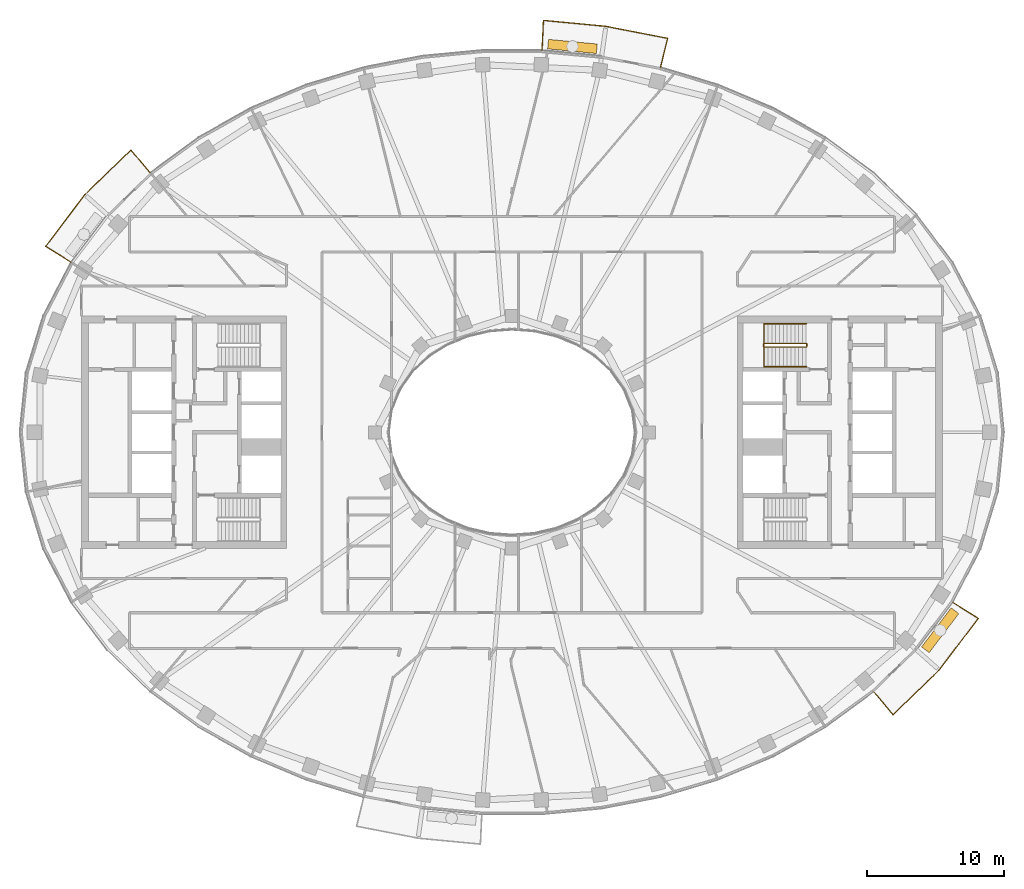
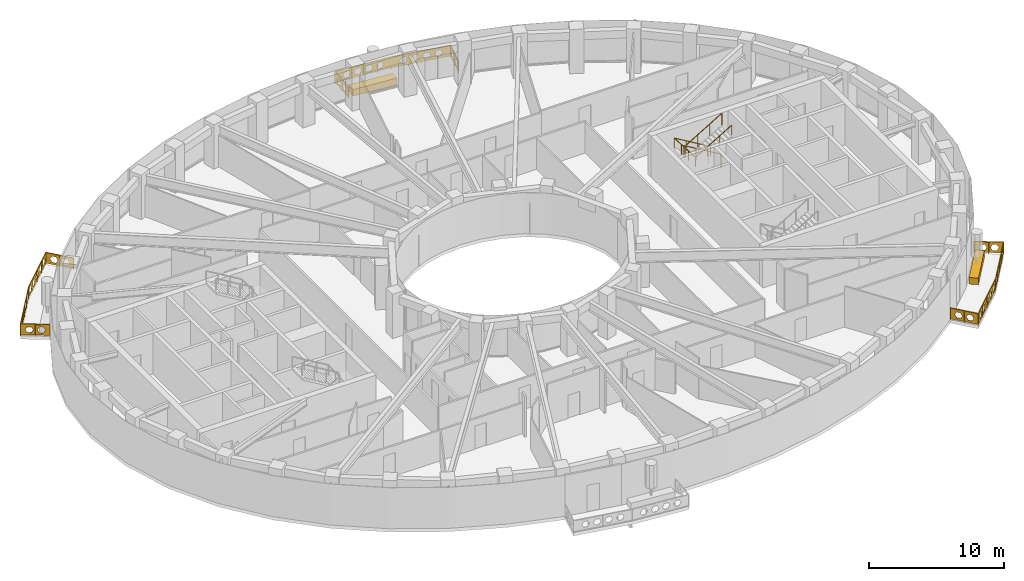
# One storey, part 15 of 16: 5 railings, 2 coverings.
"""IFC4 building model written with IfcOpenShell, lengths in metres."""

from ifc_helpers import new_model, si_unit, direction, frame, origin, origin_2d, place, context, subcontext, project, spatial, polyline, rectangle, outline, extrude, material, type_object, element, save


model = new_model("IFC4")

# Units and contexts
model_context = context("Model", 3, precision=1e-05, world=origin(), true_north=direction((0.0, 1.0)))
body_context = subcontext(model_context, "Body", "Model", "MODEL_VIEW")
ifc_project = project(units=[si_unit("LENGTHUNIT", "METRE"), si_unit("AREAUNIT", "SQUARE_METRE"), si_unit("VOLUMEUNIT", "CUBIC_METRE"), si_unit("PLANEANGLEUNIT", "RADIAN"), si_unit("MASSUNIT", "GRAM", prefix="KILO")], contexts=[model_context])

# Site, building, storey
site_placement = place(None, origin())
site = spatial("IfcSite", under=ifc_project, at=site_placement, CompositionType="ELEMENT")
building_placement = place(site_placement, origin())
building = spatial("IfcBuilding", under=site, at=building_placement, Name="Noorbagh Ring Tower", CompositionType="ELEMENT")
storey_placement = place(building_placement, frame((0.0, 0.0, 273.5)))
storey = spatial("IfcBuildingStorey", under=building, at=storey_placement, Name="L58", CompositionType="ELEMENT", Elevation=273.5)

# Railings
ifc_material_1 = material(Name="Stainless steel", Category="steel")
railing_type_1 = type_object("IfcRailingType", Name="CORE-STAIR-GUARD", PredefinedType="GUARDRAIL", material=ifc_material_1)
railing_1_placement = place(storey_placement, frame((21.580078125, 6.449951171875, 0.0)))
element("IfcRailing", 1, at=railing_1_placement, inside=storey, type_object=railing_type_1, Name="L58 ST3 stair guard", PredefinedType="GUARDRAIL", context=body_context, shape_type="SweptSolid", body=[
    extrude(rectangle(XDim=0.048095703125, YDim=0.048095703125, at=origin_2d()), frame((0.0, 0.0, 1.076171875), z_axis=(0.0, -1.0, 0.0), x_axis=(1.0, 0.0, 0.0)), (0.0, 0.0, 1.0), 0.14990234375),
    extrude(rectangle(XDim=0.048095703125, YDim=0.048095703125, at=origin_2d()), frame((0.0, -0.14990234375, 1.076171875), z_axis=(-0.188775798145, 0.754182335027, 0.628945707965), x_axis=(-0.970072785993, -0.242814311512, 0.0)), (0.0, 0.0, 1.0), 0.26513671875),
    extrude(rectangle(XDim=0.048095703125, YDim=0.048095703125, at=origin_2d()), frame((-0.050048828125, 0.050048828125, 1.24267578125), z_axis=(-0.859308565015, 0.0, 0.511457515432), x_axis=(0.0, -1.0, 0.0)), (0.0, 0.0, 1.0), 3.58447265625),
    extrude(rectangle(XDim=0.048095703125, YDim=0.048095703125, at=origin_2d()), frame((-3.130126953125, 0.050048828125, 3.076171875), z_axis=(-0.707106781187, -0.707106781187, 0.0), x_axis=(0.707106781187, -0.707106781187, 0.0)), (0.0, 0.0, 1.0), 0.07080078125),
    extrude(rectangle(XDim=0.048095703125, YDim=0.048095703125, at=origin_2d()), frame((-3.18017578125, 0.0, 3.076171875), z_axis=(0.0, -1.0, 0.0), x_axis=(1.0, 0.0, 0.0)), (0.0, 0.0, 1.0), 0.14990234375),
    extrude(rectangle(XDim=0.048095703125, YDim=0.048095703125, at=origin_2d()), frame((-3.18017578125, -0.14990234375, 3.076171875), z_axis=(0.27628659633, -0.27628659633, 0.920506074601), x_axis=(0.707106781187, 0.707106781187, 0.0)), (0.0, 0.0, 1.0), 0.18115234375),
    extrude(rectangle(XDim=0.048095703125, YDim=0.048095703125, at=origin_2d()), frame((-3.130126953125, -0.199951171875, 3.24267578125), z_axis=(0.859308565015, 0.0, 0.511457515432), x_axis=(0.0, 1.0, 0.0)), (0.0, 0.0, 1.0), 3.58447265625),
    extrude(rectangle(XDim=0.0419921875, YDim=0.0419921875, at=origin_2d()), origin(), (0.0, 0.0, 1.0), 1.052001953125),
    extrude(rectangle(XDim=0.0419921875, YDim=0.0419921875, at=origin_2d()), frame((-1.07666015625, 0.050048828125, 0.77783203125)), (0.0, 0.0, 1.0), 1.052001953125),
    extrude(rectangle(XDim=0.0419921875, YDim=0.0419921875, at=origin_2d()), frame((-2.103515625, 0.050048828125, 1.388916015625)), (0.0, 0.0, 1.0), 1.052001953125),
    extrude(rectangle(XDim=0.0419921875, YDim=0.0419921875, at=origin_2d()), frame((-3.130126953125, 0.050048828125, 2.0)), (0.0, 0.0, 1.0), 1.052001953125),
    extrude(rectangle(XDim=0.0419921875, YDim=0.0419921875, at=origin_2d()), frame((-3.130126953125, -0.199951171875, 2.166748046875)), (0.0, 0.0, 1.0), 1.052001953125),
    extrude(rectangle(XDim=0.0419921875, YDim=0.0419921875, at=origin_2d()), frame((-2.103515625, -0.199951171875, 2.77783203125)), (0.0, 0.0, 1.0), 1.052001953125),
    extrude(rectangle(XDim=0.0419921875, YDim=0.0419921875, at=origin_2d()), frame((-1.07666015625, -0.199951171875, 3.388916015625)), (0.0, 0.0, 1.0), 1.052001953125),
    extrude(rectangle(XDim=0.0419921875, YDim=0.0419921875, at=origin_2d()), frame((-0.050048828125, -0.199951171875, 4.0)), (0.0, 0.0, 1.0), 1.052001953125),
])
ifc_material_2 = material(Name="Stainless steel", Category="steel")
railing_type_2 = type_object("IfcRailingType", Name="CORE-STAIR-HANDRAIL", PredefinedType="HANDRAIL", material=ifc_material_2)
railing_2_placement = place(storey_placement, frame((21.530029296875, 7.949951171875, 0.166748046875)))
element("IfcRailing", 2, at=railing_2_placement, inside=storey, type_object=railing_type_2, Name="L58 ST3 stair handrail", PredefinedType="HANDRAIL", context=body_context, shape_type="SweptSolid", body=[
    extrude(rectangle(XDim=0.048095703125, YDim=0.048095703125, at=origin_2d()), frame((0.0, 0.0, 0.8759765625), z_axis=(-0.859308565015, 0.0, 0.511457515432), x_axis=(0.0, -1.0, 0.0)), (0.0, 0.0, 1.0), 3.58447265625),
    extrude(rectangle(XDim=0.048095703125, YDim=0.048095703125, at=origin_2d()), frame((-3.080078125, 0.0, 2.708984375), z_axis=(0.0, -0.998601747152, 0.052863509014), x_axis=(1.0, 0.0, 0.0)), (0.0, 0.0, 1.0), 3.154296875),
    extrude(rectangle(XDim=0.048095703125, YDim=0.048095703125, at=origin_2d()), frame((-3.080078125, -3.14990234375, 2.8759765625), z_axis=(0.859308565015, 0.0, 0.511457515432), x_axis=(0.0, 1.0, 0.0)), (0.0, 0.0, 1.0), 3.58447265625),
    extrude(rectangle(XDim=0.0419921875, YDim=0.0419921875, at=origin_2d()), origin(), (0.0, 0.0, 1.0), 0.851806640625),
    extrude(rectangle(XDim=0.0419921875, YDim=0.0419921875, at=origin_2d()), frame((-1.026611328125, 0.0, 0.611083984375)), (0.0, 0.0, 1.0), 0.851806640625),
    extrude(rectangle(XDim=0.0419921875, YDim=0.0419921875, at=origin_2d()), frame((-2.053466796875, 0.0, 1.22216796875)), (0.0, 0.0, 1.0), 0.851806640625),
    extrude(rectangle(XDim=0.0419921875, YDim=0.0419921875, at=origin_2d()), frame((-3.080078125, 0.0, 1.833251953125)), (0.0, 0.0, 1.0), 0.851806640625),
    extrude(rectangle(XDim=0.0419921875, YDim=0.0419921875, at=origin_2d()), frame((-3.080078125, -1.050048828125, 1.888916015625)), (0.0, 0.0, 1.0), 0.851806640625),
    extrude(rectangle(XDim=0.0419921875, YDim=0.0419921875, at=origin_2d()), frame((-3.080078125, -2.099853515625, 1.9443359375)), (0.0, 0.0, 1.0), 0.851806640625),
    extrude(rectangle(XDim=0.0419921875, YDim=0.0419921875, at=origin_2d()), frame((-3.080078125, -3.14990234375, 2.0)), (0.0, 0.0, 1.0), 0.851806640625),
    extrude(rectangle(XDim=0.0419921875, YDim=0.0419921875, at=origin_2d()), frame((-2.053466796875, -3.14990234375, 2.611083984375)), (0.0, 0.0, 1.0), 0.851806640625),
    extrude(rectangle(XDim=0.0419921875, YDim=0.0419921875, at=origin_2d()), frame((-1.026611328125, -3.14990234375, 3.22216796875)), (0.0, 0.0, 1.0), 0.851806640625),
    extrude(rectangle(XDim=0.0419921875, YDim=0.0419921875, at=origin_2d()), frame((0.0, -3.14990234375, 3.833251953125)), (0.0, 0.0, 1.0), 0.851806640625),
])
ifc_material_3 = material(Name="Steel S275 black powder-coated", Category="steel")
railing_type_3 = type_object("IfcRailingType", Name="ENV-GUARD", PredefinedType="GUARDRAIL", material=ifc_material_3)
railing_3_placement = place(storey_placement, frame((10.865234375, 26.6943359375, 0.0)))
element("IfcRailing", 3, at=railing_3_placement, inside=storey, type_object=railing_type_3, Name="Balcony guard BN03", PredefinedType="GUARDRAIL", context=body_context, shape_type="SweptSolid", body=[
    extrude(rectangle(XDim=0.048095703125, YDim=0.048095703125, at=origin_2d()), frame((0.0, 0.0, 1.076171875), z_axis=(0.239848558412, 0.970810315679, 0.0), x_axis=(-0.970810315679, 0.239848558412, 0.0)), (0.0, 0.0, 1.0), 2.20263671875),
    extrude(rectangle(XDim=0.048095703125, YDim=0.048095703125, at=origin_2d()), frame((0.5283203125, 2.138427734375, 1.076171875), z_axis=(-0.981625049064, 0.1908199755, 0.0), x_axis=(-0.1908199755, -0.981625049064, 0.0)), (0.0, 0.0, 1.0), 4.603271484375),
    extrude(rectangle(XDim=0.048095703125, YDim=0.048095703125, at=origin_2d()), frame((-3.990478515625, 3.016845703125, 1.076171875), z_axis=(-0.995477555764, 0.094997031379, 0.0), x_axis=(-0.094997031379, -0.995477555764, 0.0)), (0.0, 0.0, 1.0), 4.59765625),
    extrude(rectangle(XDim=0.048095703125, YDim=0.048095703125, at=origin_2d()), frame((-8.5673828125, 3.45361328125, 1.076171875), z_axis=(-0.047554616162, -0.998868639252, 0.0), x_axis=(0.998868639252, -0.047554616162, 0.0)), (0.0, 0.0, 1.0), 2.202392578125),
    extrude(rectangle(XDim=0.0419921875, YDim=0.0419921875, at=origin_2d()), origin(), (0.0, 0.0, 1.0), 1.052001953125),
    extrude(rectangle(XDim=0.0419921875, YDim=0.0419921875, at=origin_2d()), frame((0.26416015625, 1.0693359375, 0.0)), (0.0, 0.0, 1.0), 1.052001953125),
    extrude(rectangle(XDim=0.0419921875, YDim=0.0419921875, at=origin_2d()), frame((0.5283203125, 2.138427734375, 0.0)), (0.0, 0.0, 1.0), 1.052001953125),
    extrude(rectangle(XDim=0.0419921875, YDim=0.0419921875, at=origin_2d()), frame((-0.601318359375, 2.35791015625, 0.0)), (0.0, 0.0, 1.0), 1.052001953125),
    extrude(rectangle(XDim=0.0419921875, YDim=0.0419921875, at=origin_2d()), frame((-1.73095703125, 2.57763671875, 0.0)), (0.0, 0.0, 1.0), 1.052001953125),
    extrude(rectangle(XDim=0.0419921875, YDim=0.0419921875, at=origin_2d()), frame((-2.86083984375, 2.79736328125, 0.0)), (0.0, 0.0, 1.0), 1.052001953125),
    extrude(rectangle(XDim=0.0419921875, YDim=0.0419921875, at=origin_2d()), frame((-3.990478515625, 3.016845703125, 0.0)), (0.0, 0.0, 1.0), 1.052001953125),
    extrude(rectangle(XDim=0.0419921875, YDim=0.0419921875, at=origin_2d()), frame((-5.134765625, 3.1259765625, 0.0)), (0.0, 0.0, 1.0), 1.052001953125),
    extrude(rectangle(XDim=0.0419921875, YDim=0.0419921875, at=origin_2d()), frame((-6.27880859375, 3.2353515625, 0.0)), (0.0, 0.0, 1.0), 1.052001953125),
    extrude(rectangle(XDim=0.0419921875, YDim=0.0419921875, at=origin_2d()), frame((-7.423095703125, 3.344482421875, 0.0)), (0.0, 0.0, 1.0), 1.052001953125),
    extrude(rectangle(XDim=0.0419921875, YDim=0.0419921875, at=origin_2d()), frame((-8.5673828125, 3.45361328125, 0.0)), (0.0, 0.0, 1.0), 1.052001953125),
    extrude(rectangle(XDim=0.0419921875, YDim=0.0419921875, at=origin_2d()), frame((-8.61962890625, 2.353515625, 0.0)), (0.0, 0.0, 1.0), 1.052001953125),
    extrude(rectangle(XDim=0.0419921875, YDim=0.0419921875, at=origin_2d()), frame((-8.672119140625, 1.253662109375, 0.0)), (0.0, 0.0, 1.0), 1.052001953125),
    extrude(outline(polyline([(0.0, 0.10009765625), (2.20263671875, 0.10009765625), (2.20263671875, 1.031982421875), (0.0, 1.031982421875), (0.0, 0.10009765625)]), holes=[polyline([(0.96142578125, 0.56591796875), (0.806396484375, 0.83447265625), (0.496337890625, 0.83447265625), (0.34130859375, 0.56591796875), (0.496337890625, 0.297607421875), (0.806396484375, 0.297607421875), (0.96142578125, 0.56591796875)]), polyline([(1.861328125, 0.56591796875), (1.706298828125, 0.83447265625), (1.396240234375, 0.83447265625), (1.241455078125, 0.56591796875), (1.396240234375, 0.297607421875), (1.706298828125, 0.297607421875), (1.861328125, 0.56591796875)])]), frame((-0.009765625, 0.00244140625, 0.0), z_axis=(0.970810315679, -0.239848558412, 0.0), x_axis=(0.239848558412, 0.970810315679, 0.0)), (0.0, 0.0, 1.0), 0.02001953125),
    extrude(outline(polyline([(0.0, 0.10009765625), (4.603271484375, 0.10009765625), (4.603271484375, 1.031982421875), (0.0, 1.031982421875), (0.0, 0.10009765625)]), holes=[polyline([(1.26171875, 0.56591796875), (1.106689453125, 0.83447265625), (0.796630859375, 0.83447265625), (0.6416015625, 0.56591796875), (0.796630859375, 0.297607421875), (1.106689453125, 0.297607421875), (1.26171875, 0.56591796875)]), polyline([(2.16162109375, 0.56591796875), (2.006591796875, 0.83447265625), (1.69677734375, 0.83447265625), (1.541748046875, 0.56591796875), (1.69677734375, 0.297607421875), (2.006591796875, 0.297607421875), (2.16162109375, 0.56591796875)]), polyline([(3.061767578125, 0.56591796875), (2.90673828125, 0.83447265625), (2.5966796875, 0.83447265625), (2.441650390625, 0.56591796875), (2.5966796875, 0.297607421875), (2.90673828125, 0.297607421875), (3.061767578125, 0.56591796875)]), polyline([(3.961669921875, 0.56591796875), (3.806640625, 0.83447265625), (3.49658203125, 0.83447265625), (3.341796875, 0.56591796875), (3.49658203125, 0.297607421875), (3.806640625, 0.297607421875), (3.961669921875, 0.56591796875)])]), frame((0.5263671875, 2.128662109375, 0.0), z_axis=(0.1908199755, 0.981625049064, 0.0), x_axis=(-0.981625049064, 0.1908199755, 0.0)), (0.0, 0.0, 1.0), 0.02001953125),
    extrude(outline(polyline([(0.0, 0.10009765625), (4.59765625, 0.10009765625), (4.59765625, 1.031982421875), (0.0, 1.031982421875), (0.0, 0.10009765625)]), holes=[polyline([(1.2587890625, 0.56591796875), (1.103759765625, 0.83447265625), (0.7939453125, 0.83447265625), (0.638916015625, 0.56591796875), (0.7939453125, 0.297607421875), (1.103759765625, 0.297607421875), (1.2587890625, 0.56591796875)]), polyline([(2.158935546875, 0.56591796875), (2.00390625, 0.83447265625), (1.69384765625, 0.83447265625), (1.538818359375, 0.56591796875), (1.69384765625, 0.297607421875), (2.00390625, 0.297607421875), (2.158935546875, 0.56591796875)]), polyline([(3.058837890625, 0.56591796875), (2.90380859375, 0.83447265625), (2.59375, 0.83447265625), (2.43896484375, 0.56591796875), (2.59375, 0.297607421875), (2.90380859375, 0.297607421875), (3.058837890625, 0.56591796875)]), polyline([(3.958740234375, 0.56591796875), (3.803955078125, 0.83447265625), (3.493896484375, 0.83447265625), (3.3388671875, 0.56591796875), (3.493896484375, 0.297607421875), (3.803955078125, 0.297607421875), (3.958740234375, 0.56591796875)])]), frame((-3.991455078125, 3.0068359375, 0.0), z_axis=(0.094997031379, 0.995477555764, 0.0), x_axis=(-0.995477555764, 0.094997031379, 0.0)), (0.0, 0.0, 1.0), 0.02001953125),
    extrude(outline(polyline([(0.0, 0.10009765625), (2.202392578125, 0.10009765625), (2.202392578125, 1.031982421875), (0.0, 1.031982421875), (0.0, 0.10009765625)]), holes=[polyline([(0.961181640625, 0.56591796875), (0.80615234375, 0.83447265625), (0.496337890625, 0.83447265625), (0.34130859375, 0.56591796875), (0.496337890625, 0.297607421875), (0.80615234375, 0.297607421875), (0.961181640625, 0.56591796875)]), polyline([(1.861328125, 0.56591796875), (1.706298828125, 0.83447265625), (1.396240234375, 0.83447265625), (1.2412109375, 0.56591796875), (1.396240234375, 0.297607421875), (1.706298828125, 0.297607421875), (1.861328125, 0.56591796875)])]), frame((-8.557373046875, 3.453125, 0.0), z_axis=(-0.998868639252, 0.047554616162, 0.0), x_axis=(-0.047554616162, -0.998868639252, 0.0)), (0.0, 0.0, 1.0), 0.02001953125),
])
railing_4_placement = place(storey_placement, frame((-26.463134765625, 18.983154296875, 0.0)))
element("IfcRailing", 4, at=railing_4_placement, inside=storey, type_object=railing_type_3, Name="Balcony guard BN06", PredefinedType="GUARDRAIL", context=body_context, shape_type="SweptSolid", body=[
    extrude(rectangle(XDim=0.048095703125, YDim=0.048095703125, at=origin_2d()), frame((0.0, 0.0, 1.076171875), z_axis=(-0.646413574048, 0.762987215677, 0.0), x_axis=(-0.762987215677, -0.646413574048, 0.0)), (0.0, 0.0, 1.0), 2.205322265625),
    extrude(rectangle(XDim=0.048095703125, YDim=0.048095703125, at=origin_2d()), frame((-1.425537109375, 1.6826171875, 1.076171875), z_axis=(-0.717212632946, -0.696854388766, 0.0), x_axis=(0.696854388766, -0.717212632946, 0.0)), (0.0, 0.0, 1.0), 4.700927734375),
    extrude(rectangle(XDim=0.048095703125, YDim=0.048095703125, at=origin_2d()), frame((-4.797119140625, -1.59326171875, 1.076171875), z_axis=(-0.604001613322, -0.796983093362, 0.0), x_axis=(0.796983093362, -0.604001613322, 0.0)), (0.0, 0.0, 1.0), 4.7353515625),
    extrude(rectangle(XDim=0.048095703125, YDim=0.048095703125, at=origin_2d()), frame((-7.6572265625, -5.3671875, 1.076171875), z_axis=(0.844852397829, -0.534999463442, 0.0), x_axis=(0.534999463442, 0.844852397829, 0.0)), (0.0, 0.0, 1.0), 2.207763671875),
    extrude(rectangle(XDim=0.0419921875, YDim=0.0419921875, at=origin_2d()), origin(), (0.0, 0.0, 1.0), 1.052001953125),
    extrude(rectangle(XDim=0.0419921875, YDim=0.0419921875, at=origin_2d()), frame((-0.712890625, 0.84130859375, 0.0)), (0.0, 0.0, 1.0), 1.052001953125),
    extrude(rectangle(XDim=0.0419921875, YDim=0.0419921875, at=origin_2d()), frame((-1.425537109375, 1.6826171875, 0.0)), (0.0, 0.0, 1.0), 1.052001953125),
    extrude(rectangle(XDim=0.0419921875, YDim=0.0419921875, at=origin_2d()), frame((-2.2685546875, 0.86376953125, 0.0)), (0.0, 0.0, 1.0), 1.052001953125),
    extrude(rectangle(XDim=0.0419921875, YDim=0.0419921875, at=origin_2d()), frame((-3.111328125, 0.044677734375, 0.0)), (0.0, 0.0, 1.0), 1.052001953125),
    extrude(rectangle(XDim=0.0419921875, YDim=0.0419921875, at=origin_2d()), frame((-3.9541015625, -0.7744140625, 0.0)), (0.0, 0.0, 1.0), 1.052001953125),
    extrude(rectangle(XDim=0.0419921875, YDim=0.0419921875, at=origin_2d()), frame((-4.797119140625, -1.59326171875, 0.0)), (0.0, 0.0, 1.0), 1.052001953125),
    extrude(rectangle(XDim=0.0419921875, YDim=0.0419921875, at=origin_2d()), frame((-5.51220703125, -2.53662109375, 0.0)), (0.0, 0.0, 1.0), 1.052001953125),
    extrude(rectangle(XDim=0.0419921875, YDim=0.0419921875, at=origin_2d()), frame((-6.22705078125, -3.480224609375, 0.0)), (0.0, 0.0, 1.0), 1.052001953125),
    extrude(rectangle(XDim=0.0419921875, YDim=0.0419921875, at=origin_2d()), frame((-6.942138671875, -4.423828125, 0.0)), (0.0, 0.0, 1.0), 1.052001953125),
    extrude(rectangle(XDim=0.0419921875, YDim=0.0419921875, at=origin_2d()), frame((-7.6572265625, -5.3671875, 0.0)), (0.0, 0.0, 1.0), 1.052001953125),
    extrude(rectangle(XDim=0.0419921875, YDim=0.0419921875, at=origin_2d()), frame((-6.724609375, -5.957763671875, 0.0)), (0.0, 0.0, 1.0), 1.052001953125),
    extrude(rectangle(XDim=0.0419921875, YDim=0.0419921875, at=origin_2d()), frame((-5.7919921875, -6.54833984375, 0.0)), (0.0, 0.0, 1.0), 1.052001953125),
    extrude(outline(polyline([(0.0, 0.10009765625), (2.205322265625, 0.10009765625), (2.205322265625, 1.031982421875), (0.0, 1.031982421875), (0.0, 0.10009765625)]), holes=[polyline([(0.962646484375, 0.56591796875), (0.8076171875, 0.83447265625), (0.49755859375, 0.83447265625), (0.342529296875, 0.56591796875), (0.49755859375, 0.297607421875), (0.8076171875, 0.297607421875), (0.962646484375, 0.56591796875)]), polyline([(1.862548828125, 0.56591796875), (1.707763671875, 0.83447265625), (1.397705078125, 0.83447265625), (1.24267578125, 0.56591796875), (1.397705078125, 0.297607421875), (1.707763671875, 0.297607421875), (1.862548828125, 0.56591796875)])]), frame((-0.007568359375, -0.00634765625, 0.0), z_axis=(0.762987215677, 0.646413574048, 0.0), x_axis=(-0.646413574048, 0.762987215677, 0.0)), (0.0, 0.0, 1.0), 0.02001953125),
    extrude(outline(polyline([(0.0, 0.10009765625), (4.700927734375, 0.10009765625), (4.700927734375, 1.031982421875), (0.0, 1.031982421875), (0.0, 0.10009765625)]), holes=[polyline([(0.860595703125, 0.56591796875), (0.70556640625, 0.83447265625), (0.3955078125, 0.83447265625), (0.240478515625, 0.56591796875), (0.3955078125, 0.297607421875), (0.70556640625, 0.297607421875), (0.860595703125, 0.56591796875)]), polyline([(1.760498046875, 0.56591796875), (1.60546875, 0.83447265625), (1.29541015625, 0.83447265625), (1.140380859375, 0.56591796875), (1.29541015625, 0.297607421875), (1.60546875, 0.297607421875), (1.760498046875, 0.56591796875)]), polyline([(2.660400390625, 0.56591796875), (2.50537109375, 0.83447265625), (2.195556640625, 0.83447265625), (2.04052734375, 0.56591796875), (2.195556640625, 0.297607421875), (2.50537109375, 0.297607421875), (2.660400390625, 0.56591796875)]), polyline([(3.560546875, 0.56591796875), (3.405517578125, 0.83447265625), (3.095458984375, 0.83447265625), (2.9404296875, 0.56591796875), (3.095458984375, 0.297607421875), (3.405517578125, 0.297607421875), (3.560546875, 0.56591796875)]), polyline([(4.46044921875, 0.56591796875), (4.305419921875, 0.83447265625), (3.995361328125, 0.83447265625), (3.840576171875, 0.56591796875), (3.995361328125, 0.297607421875), (4.305419921875, 0.297607421875), (4.46044921875, 0.56591796875)])]), frame((-1.41845703125, 1.675537109375, 0.0), z_axis=(-0.696854388766, 0.717212632946, 0.0), x_axis=(-0.717212632946, -0.696854388766, 0.0)), (0.0, 0.0, 1.0), 0.02001953125),
    extrude(outline(polyline([(0.0, 0.10009765625), (4.7353515625, 0.10009765625), (4.7353515625, 1.031982421875), (0.0, 1.031982421875), (0.0, 0.10009765625)]), holes=[polyline([(0.877685546875, 0.56591796875), (0.72265625, 0.83447265625), (0.41259765625, 0.83447265625), (0.257568359375, 0.56591796875), (0.41259765625, 0.297607421875), (0.72265625, 0.297607421875), (0.877685546875, 0.56591796875)]), polyline([(1.777587890625, 0.56591796875), (1.62255859375, 0.83447265625), (1.312744140625, 0.83447265625), (1.15771484375, 0.56591796875), (1.312744140625, 0.297607421875), (1.62255859375, 0.297607421875), (1.777587890625, 0.56591796875)]), polyline([(2.677734375, 0.56591796875), (2.522705078125, 0.83447265625), (2.212646484375, 0.83447265625), (2.0576171875, 0.56591796875), (2.212646484375, 0.297607421875), (2.522705078125, 0.297607421875), (2.677734375, 0.56591796875)]), polyline([(3.57763671875, 0.56591796875), (3.422607421875, 0.83447265625), (3.112548828125, 0.83447265625), (2.95751953125, 0.56591796875), (3.112548828125, 0.297607421875), (3.422607421875, 0.297607421875), (3.57763671875, 0.56591796875)]), polyline([(4.4775390625, 0.56591796875), (4.32275390625, 0.83447265625), (4.0126953125, 0.83447265625), (3.857666015625, 0.56591796875), (4.0126953125, 0.297607421875), (4.32275390625, 0.297607421875), (4.4775390625, 0.56591796875)])]), frame((-4.7890625, -1.599365234375, 0.0), z_axis=(-0.796983093362, 0.604001613322, 0.0), x_axis=(-0.604001613322, -0.796983093362, 0.0)), (0.0, 0.0, 1.0), 0.02001953125),
    extrude(outline(polyline([(0.0, 0.10009765625), (2.207763671875, 0.10009765625), (2.207763671875, 1.031982421875), (0.0, 1.031982421875), (0.0, 0.10009765625)]), holes=[polyline([(0.9638671875, 0.56591796875), (0.808837890625, 0.83447265625), (0.498779296875, 0.83447265625), (0.343994140625, 0.56591796875), (0.498779296875, 0.297607421875), (0.808837890625, 0.297607421875), (0.9638671875, 0.56591796875)]), polyline([(1.86376953125, 0.56591796875), (1.708984375, 0.83447265625), (1.39892578125, 0.83447265625), (1.243896484375, 0.56591796875), (1.39892578125, 0.297607421875), (1.708984375, 0.297607421875), (1.86376953125, 0.56591796875)])]), frame((-7.65185546875, -5.358642578125, 0.0), z_axis=(-0.534999463442, -0.844852397829, 0.0), x_axis=(0.844852397829, -0.534999463442, 0.0)), (0.0, 0.0, 1.0), 0.02001953125),
])
railing_5_placement = place(storey_placement, frame((26.463134765625, -18.983154296875, 0.0)))
element("IfcRailing", 5, at=railing_5_placement, inside=storey, type_object=railing_type_3, Name="Balcony guard BS06", PredefinedType="GUARDRAIL", context=body_context, shape_type="SweptSolid", body=[
    extrude(rectangle(XDim=0.048095703125, YDim=0.048095703125, at=origin_2d()), frame((0.0, 0.0, 1.076171875), z_axis=(0.646413574048, -0.762987215677, 0.0), x_axis=(0.762987215677, 0.646413574048, 0.0)), (0.0, 0.0, 1.0), 2.205322265625),
    extrude(rectangle(XDim=0.048095703125, YDim=0.048095703125, at=origin_2d()), frame((1.425537109375, -1.6826171875, 1.076171875), z_axis=(0.717212632946, 0.696854388766, 0.0), x_axis=(-0.696854388766, 0.717212632946, 0.0)), (0.0, 0.0, 1.0), 4.700927734375),
    extrude(rectangle(XDim=0.048095703125, YDim=0.048095703125, at=origin_2d()), frame((4.797119140625, 1.59326171875, 1.076171875), z_axis=(0.604001613322, 0.796983093362, 0.0), x_axis=(-0.796983093362, 0.604001613322, 0.0)), (0.0, 0.0, 1.0), 4.7353515625),
    extrude(rectangle(XDim=0.048095703125, YDim=0.048095703125, at=origin_2d()), frame((7.6572265625, 5.3671875, 1.076171875), z_axis=(-0.844852397829, 0.534999463442, 0.0), x_axis=(-0.534999463442, -0.844852397829, 0.0)), (0.0, 0.0, 1.0), 2.207763671875),
    extrude(rectangle(XDim=0.0419921875, YDim=0.0419921875, at=origin_2d()), origin(), (0.0, 0.0, 1.0), 1.052001953125),
    extrude(rectangle(XDim=0.0419921875, YDim=0.0419921875, at=origin_2d()), frame((0.712890625, -0.84130859375, 0.0)), (0.0, 0.0, 1.0), 1.052001953125),
    extrude(rectangle(XDim=0.0419921875, YDim=0.0419921875, at=origin_2d()), frame((1.425537109375, -1.6826171875, 0.0)), (0.0, 0.0, 1.0), 1.052001953125),
    extrude(rectangle(XDim=0.0419921875, YDim=0.0419921875, at=origin_2d()), frame((2.2685546875, -0.86376953125, 0.0)), (0.0, 0.0, 1.0), 1.052001953125),
    extrude(rectangle(XDim=0.0419921875, YDim=0.0419921875, at=origin_2d()), frame((3.111328125, -0.044677734375, 0.0)), (0.0, 0.0, 1.0), 1.052001953125),
    extrude(rectangle(XDim=0.0419921875, YDim=0.0419921875, at=origin_2d()), frame((3.9541015625, 0.7744140625, 0.0)), (0.0, 0.0, 1.0), 1.052001953125),
    extrude(rectangle(XDim=0.0419921875, YDim=0.0419921875, at=origin_2d()), frame((4.797119140625, 1.59326171875, 0.0)), (0.0, 0.0, 1.0), 1.052001953125),
    extrude(rectangle(XDim=0.0419921875, YDim=0.0419921875, at=origin_2d()), frame((5.51220703125, 2.53662109375, 0.0)), (0.0, 0.0, 1.0), 1.052001953125),
    extrude(rectangle(XDim=0.0419921875, YDim=0.0419921875, at=origin_2d()), frame((6.22705078125, 3.480224609375, 0.0)), (0.0, 0.0, 1.0), 1.052001953125),
    extrude(rectangle(XDim=0.0419921875, YDim=0.0419921875, at=origin_2d()), frame((6.942138671875, 4.423828125, 0.0)), (0.0, 0.0, 1.0), 1.052001953125),
    extrude(rectangle(XDim=0.0419921875, YDim=0.0419921875, at=origin_2d()), frame((7.6572265625, 5.3671875, 0.0)), (0.0, 0.0, 1.0), 1.052001953125),
    extrude(rectangle(XDim=0.0419921875, YDim=0.0419921875, at=origin_2d()), frame((6.724609375, 5.957763671875, 0.0)), (0.0, 0.0, 1.0), 1.052001953125),
    extrude(rectangle(XDim=0.0419921875, YDim=0.0419921875, at=origin_2d()), frame((5.7919921875, 6.54833984375, 0.0)), (0.0, 0.0, 1.0), 1.052001953125),
    extrude(outline(polyline([(0.0, 0.10009765625), (2.205322265625, 0.10009765625), (2.205322265625, 1.031982421875), (0.0, 1.031982421875), (0.0, 0.10009765625)]), holes=[polyline([(0.962646484375, 0.56591796875), (0.8076171875, 0.83447265625), (0.49755859375, 0.83447265625), (0.342529296875, 0.56591796875), (0.49755859375, 0.297607421875), (0.8076171875, 0.297607421875), (0.962646484375, 0.56591796875)]), polyline([(1.862548828125, 0.56591796875), (1.707763671875, 0.83447265625), (1.397705078125, 0.83447265625), (1.24267578125, 0.56591796875), (1.397705078125, 0.297607421875), (1.707763671875, 0.297607421875), (1.862548828125, 0.56591796875)])]), frame((0.007568359375, 0.00634765625, 0.0), z_axis=(-0.762987215677, -0.646413574048, 0.0), x_axis=(0.646413574048, -0.762987215677, 0.0)), (0.0, 0.0, 1.0), 0.02001953125),
    extrude(outline(polyline([(0.0, 0.10009765625), (4.700927734375, 0.10009765625), (4.700927734375, 1.031982421875), (0.0, 1.031982421875), (0.0, 0.10009765625)]), holes=[polyline([(0.860595703125, 0.56591796875), (0.70556640625, 0.83447265625), (0.3955078125, 0.83447265625), (0.240478515625, 0.56591796875), (0.3955078125, 0.297607421875), (0.70556640625, 0.297607421875), (0.860595703125, 0.56591796875)]), polyline([(1.760498046875, 0.56591796875), (1.60546875, 0.83447265625), (1.29541015625, 0.83447265625), (1.140380859375, 0.56591796875), (1.29541015625, 0.297607421875), (1.60546875, 0.297607421875), (1.760498046875, 0.56591796875)]), polyline([(2.660400390625, 0.56591796875), (2.50537109375, 0.83447265625), (2.195556640625, 0.83447265625), (2.04052734375, 0.56591796875), (2.195556640625, 0.297607421875), (2.50537109375, 0.297607421875), (2.660400390625, 0.56591796875)]), polyline([(3.560546875, 0.56591796875), (3.405517578125, 0.83447265625), (3.095458984375, 0.83447265625), (2.9404296875, 0.56591796875), (3.095458984375, 0.297607421875), (3.405517578125, 0.297607421875), (3.560546875, 0.56591796875)]), polyline([(4.46044921875, 0.56591796875), (4.305419921875, 0.83447265625), (3.995361328125, 0.83447265625), (3.840576171875, 0.56591796875), (3.995361328125, 0.297607421875), (4.305419921875, 0.297607421875), (4.46044921875, 0.56591796875)])]), frame((1.41845703125, -1.675537109375, 0.0), z_axis=(0.696854388766, -0.717212632946, 0.0), x_axis=(0.717212632946, 0.696854388766, 0.0)), (0.0, 0.0, 1.0), 0.02001953125),
    extrude(outline(polyline([(0.0, 0.10009765625), (4.7353515625, 0.10009765625), (4.7353515625, 1.031982421875), (0.0, 1.031982421875), (0.0, 0.10009765625)]), holes=[polyline([(0.877685546875, 0.56591796875), (0.72265625, 0.83447265625), (0.41259765625, 0.83447265625), (0.257568359375, 0.56591796875), (0.41259765625, 0.297607421875), (0.72265625, 0.297607421875), (0.877685546875, 0.56591796875)]), polyline([(1.777587890625, 0.56591796875), (1.62255859375, 0.83447265625), (1.312744140625, 0.83447265625), (1.15771484375, 0.56591796875), (1.312744140625, 0.297607421875), (1.62255859375, 0.297607421875), (1.777587890625, 0.56591796875)]), polyline([(2.677734375, 0.56591796875), (2.522705078125, 0.83447265625), (2.212646484375, 0.83447265625), (2.0576171875, 0.56591796875), (2.212646484375, 0.297607421875), (2.522705078125, 0.297607421875), (2.677734375, 0.56591796875)]), polyline([(3.57763671875, 0.56591796875), (3.422607421875, 0.83447265625), (3.112548828125, 0.83447265625), (2.95751953125, 0.56591796875), (3.112548828125, 0.297607421875), (3.422607421875, 0.297607421875), (3.57763671875, 0.56591796875)]), polyline([(4.4775390625, 0.56591796875), (4.32275390625, 0.83447265625), (4.0126953125, 0.83447265625), (3.857666015625, 0.56591796875), (4.0126953125, 0.297607421875), (4.32275390625, 0.297607421875), (4.4775390625, 0.56591796875)])]), frame((4.7890625, 1.599365234375, 0.0), z_axis=(0.796983093362, -0.604001613322, 0.0), x_axis=(0.604001613322, 0.796983093362, 0.0)), (0.0, 0.0, 1.0), 0.02001953125),
    extrude(outline(polyline([(0.0, 0.10009765625), (2.207763671875, 0.10009765625), (2.207763671875, 1.031982421875), (0.0, 1.031982421875), (0.0, 0.10009765625)]), holes=[polyline([(0.9638671875, 0.56591796875), (0.808837890625, 0.83447265625), (0.498779296875, 0.83447265625), (0.343994140625, 0.56591796875), (0.498779296875, 0.297607421875), (0.808837890625, 0.297607421875), (0.9638671875, 0.56591796875)]), polyline([(1.86376953125, 0.56591796875), (1.708984375, 0.83447265625), (1.39892578125, 0.83447265625), (1.243896484375, 0.56591796875), (1.39892578125, 0.297607421875), (1.708984375, 0.297607421875), (1.86376953125, 0.56591796875)])]), frame((7.65185546875, 5.358642578125, 0.0), z_axis=(0.534999463442, 0.844852397829, 0.0), x_axis=(-0.844852397829, 0.534999463442, 0.0)), (0.0, 0.0, 1.0), 0.02001953125),
])

# Coverings
ifc_material_4 = material(Name="Concrete C30/37 planter with soil", Category="concrete")
covering_type = type_object("IfcCoveringType", Name="ENV-PLANTER", PredefinedType="CLADDING", material=ifc_material_4)
covering_1_placement = place(storey_placement, frame((4.423828125, 28.2373046875, 0.0), z_axis=(0.0, 0.0, 1.0), x_axis=(-0.995476497323, 0.095008122171, 0.0)))
element("IfcCovering", 6, at=covering_1_placement, inside=storey, type_object=covering_type, Name="PLANTER BN03", ObjectType="PLANTER", PredefinedType="CLADDING", context=body_context, shape_type="SweptSolid", body=[
    extrude(rectangle(XDim=3.58642578125, YDim=0.699951171875, at=origin_2d()), origin(), (0.0, 0.0, 1.0), 0.60009765625),
])
covering_2_placement = place(storey_placement, frame((31.329833984375, -14.4833984375, 0.0), z_axis=(0.0, 0.0, 1.0), x_axis=(0.604020184358, 0.796969018776, 0.0)))
element("IfcCovering", 7, at=covering_2_placement, inside=storey, type_object=covering_type, Name="PLANTER BS06", ObjectType="PLANTER", PredefinedType="CLADDING", context=body_context, shape_type="SweptSolid", body=[
    extrude(rectangle(XDim=3.583251953125, YDim=0.699951171875, at=origin_2d()), origin(), (0.0, 0.0, 1.0), 0.60009765625),
])

save(model, "model.ifc")
